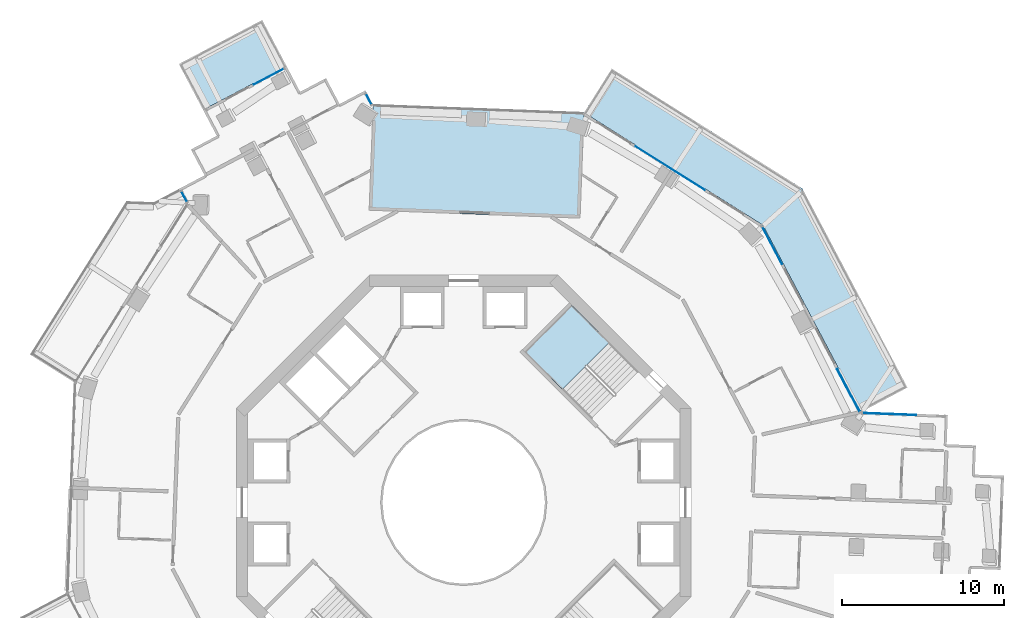
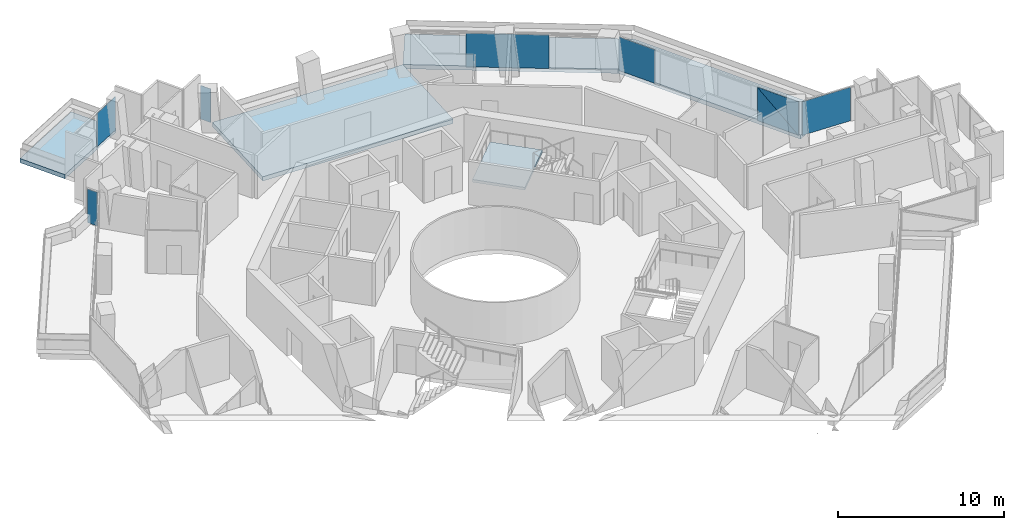
# One storey, part 13 of 23: 8 plates, 4 slabs, 7 elements without a shape of their own.
"""IFC4 building model written with IfcOpenShell, lengths in metres."""

from ifc_helpers import new_model, si_unit, direction, frame, origin, origin_2d, place, context, subcontext, project, spatial, polyline, rectangle, outline, extrude, material, layer, layer_set, type_object, element, aggregate, save


model = new_model("IFC4")

# Units and contexts
model_context = context("Model", 3, precision=1e-05, world=origin(), true_north=direction((0.0, 1.0)))
body_context = subcontext(model_context, "Body", "Model", "MODEL_VIEW")
ifc_project = project(units=[si_unit("LENGTHUNIT", "METRE"), si_unit("AREAUNIT", "SQUARE_METRE"), si_unit("VOLUMEUNIT", "CUBIC_METRE"), si_unit("PLANEANGLEUNIT", "RADIAN"), si_unit("MASSUNIT", "GRAM", prefix="KILO")], contexts=[model_context])

# Site, building, storey
site_placement = place(None, origin())
site = spatial("IfcSite", under=ifc_project, at=site_placement, CompositionType="ELEMENT")
building_placement = place(site_placement, origin())
building = spatial("IfcBuilding", under=site, at=building_placement, Name="Verdalira Terraces Hotel", CompositionType="ELEMENT")
storey_placement = place(building_placement, frame((0.0, 0.0, 147.0)))
storey = spatial("IfcBuildingStorey", under=building, at=storey_placement, Name="L35", CompositionType="ELEMENT", Elevation=147.0)

# Slabs
ifc_material_1 = material(Name="Precast concrete C40/50", Category="concrete")
ifc_layer_1 = layer(ifc_material_1, 0.31005859375)
ifc_layer_set_1 = layer_set([ifc_layer_1], Name="Balcony deck 310")
slab_type_1 = type_object("IfcSlabType", Name="Balcony deck 310", PredefinedType="FLOOR", material=ifc_layer_set_1)
slab_1_placement = place(storey_placement, frame((0.0, 0.0, -0.310059)))
element("IfcSlab", 1, at=slab_1_placement, inside=storey, type_object=slab_type_1, Name="Balcony deck", PredefinedType="FLOOR", context=body_context, shape_type="SweptSolid", body=[
    extrude(outline(polyline([(-17.535645, 26.993408), (-16.04126, 24.163818), (-10.912598, 26.872559), (-12.406982, 29.702148), (-17.535645, 26.993408)])), origin(), (0.0, 0.0, 1.0), 0.310059),
])
slab_2_placement = place(storey_placement, frame((0.0, 0.0, -0.310059)))
element("IfcSlab", 2, at=slab_2_placement, inside=storey, type_object=slab_type_1, Name="Balcony deck", PredefinedType="FLOOR", context=body_context, shape_type="SweptSolid", body=[
    extrude(outline(polyline([(9.113037, 26.705078), (7.409668, 23.996094), (18.415039, 17.076416), (24.486084, 5.581055), (27.315674, 7.075439), (20.844238, 19.329102), (9.113037, 26.705078)])), origin(), (0.0, 0.0, 1.0), 0.310059),
])

# Curtain wall, plates
ifc_material_2 = material(Name="Clear glass", Category="glass")
ifc_layer_2 = layer(ifc_material_2, 0.14990234375)
ifc_layer_set_2 = layer_set([ifc_layer_2], Name="CW1 curtain wall")
curtain_wall_type_1 = type_object("IfcCurtainWallType", Name="CW1 curtain wall", PredefinedType="NOTDEFINED", material=ifc_layer_set_2)
curtain_wall_1_placement = place(storey_placement, origin())
curtain_wall_1 = element("IfcCurtainWall", 3, at=curtain_wall_1_placement, inside=storey, type_object=curtain_wall_type_1, Name="CW1 curtain wall L35 edge 39", PredefinedType="NOTDEFINED")
ifc_material_3 = material(Name="Clear glass", Category="glass")
ifc_layer_3 = layer(ifc_material_3, 0.028076171875)
ifc_layer_set_3 = layer_set([ifc_layer_3], Name="CW1 glass unit 28")
plate_type_1 = type_object("IfcPlateType", Name="CW1 glass unit 28", PredefinedType="CURTAIN_PANEL", material=ifc_layer_set_3)
plate_1_placement = place(storey_placement, frame((23.687012, 6.90332, 1.237549), z_axis=(0.88425516, 0.467004081, 0.0), x_axis=(-0.467004081, 0.88425516, 0.0)))
plate_1 = element("IfcPlate", 4, at=plate_1_placement, type_object=plate_type_1, Name="CW1 glass unit", PredefinedType="CURTAIN_PANEL", context=body_context, shape_type="SweptSolid", body=[
    extrude(outline(polyline([(-1.482422, -1.237549), (1.482422, -1.237549), (1.482422, 1.237549), (-1.482422, -1.237549)])), origin(), (0.0, 0.0, 1.0), 0.028076),
])
plate_2_placement = place(storey_placement, frame((23.661377, 6.889893, 1.237549), z_axis=(0.88425516, 0.467004081, 0.0), x_axis=(-0.467004081, 0.88425516, 0.0)))
plate_2 = element("IfcPlate", 5, at=plate_2_placement, type_object=plate_type_1, Name="CW1 glass unit", PredefinedType="CURTAIN_PANEL", context=body_context, shape_type="SweptSolid", body=[
    extrude(outline(polyline([(-1.482422, -1.237549), (1.482422, 1.237549), (-1.482422, 1.237549), (-1.482422, -1.237549)])), origin(), (0.0, 0.0, 1.0), 0.028076),
])
plate_3_placement = place(storey_placement, frame((18.994385, 15.819092, 0.0), z_axis=(0.0, 0.0, 1.0), x_axis=(-0.467004081, 0.88425516, 0.0)))
plate_3 = element("IfcPlate", 6, at=plate_3_placement, type_object=plate_type_1, Name="CW1 glass unit", PredefinedType="CURTAIN_PANEL", context=body_context, shape_type="SweptSolid", body=[
    extrude(rectangle(XDim=2.564209, YDim=0.028076, at=origin_2d()), origin(), (0.0, 0.0, 1.0), 2.475098),
])
aggregate(curtain_wall_1, [plate_1, plate_2, plate_3])

# Curtain wall, plate
curtain_wall_2_placement = place(storey_placement, origin())
curtain_wall_2 = element("IfcCurtainWall", 7, at=curtain_wall_2_placement, inside=storey, type_object=curtain_wall_type_1, Name="CW1 curtain wall L35 edge 40", PredefinedType="NOTDEFINED")
plate_4_placement = place(storey_placement, frame((12.720947, 20.567871, 0.0), z_axis=(0.0, 0.0, 1.0), x_axis=(-0.846564978, 0.532285392, 0.0)))
plate_4 = element("IfcPlate", 8, at=plate_4_placement, type_object=plate_type_1, Name="CW1 glass unit", PredefinedType="CURTAIN_PANEL", context=body_context, shape_type="SweptSolid", body=[
    extrude(rectangle(XDim=5.021729, YDim=0.028076, at=origin_2d()), origin(), (0.0, 0.0, 1.0), 2.475098),
])
aggregate(curtain_wall_2, [plate_4])

ifc_material_4 = material(Name="Clear glass", Category="glass")
ifc_layer_4 = layer(ifc_material_4, 0.14990234375)
ifc_layer_set_4 = layer_set([ifc_layer_4], Name="CW2 curtain wall")
curtain_wall_type_2 = type_object("IfcCurtainWallType", Name="CW2 curtain wall", PredefinedType="NOTDEFINED", material=ifc_layer_set_4)
curtain_wall_3_placement = place(storey_placement, origin())
curtain_wall_3 = element("IfcCurtainWall", 9, at=curtain_wall_3_placement, inside=storey, type_object=curtain_wall_type_2, Name="CW2 curtain wall L35 edge 0", PredefinedType="NOTDEFINED")
ifc_material_5 = material(Name="Clear glass", Category="glass")
ifc_layer_5 = layer(ifc_material_5, 0.031982421875)
ifc_layer_set_5 = layer_set([ifc_layer_5], Name="CW2 glass unit 32")
plate_type_2 = type_object("IfcPlateType", Name="CW2 glass unit 32", PredefinedType="CURTAIN_PANEL", material=ifc_layer_set_5)
plate_5_placement = place(storey_placement, frame((-5.845947, 24.826904, 0.0), z_axis=(0.0, 0.0, 1.0), x_axis=(-0.467004081, 0.88425516, 0.0)))
plate_5 = element("IfcPlate", 10, at=plate_5_placement, type_object=plate_type_2, Name="CW2 glass unit", PredefinedType="CURTAIN_PANEL", context=body_context, shape_type="SweptSolid", body=[
    extrude(rectangle(XDim=0.709961, YDim=0.031982, at=origin_2d()), origin(), (0.0, 0.0, 1.0), 2.475098),
])
aggregate(curtain_wall_3, [plate_5])

curtain_wall_4_placement = place(storey_placement, origin())
curtain_wall_4 = element("IfcCurtainWall", 11, at=curtain_wall_4_placement, inside=storey, type_object=curtain_wall_type_2, Name="CW2 curtain wall L35 edge 10", PredefinedType="NOTDEFINED")
plate_6_placement = place(storey_placement, frame((-17.208496, 18.825928, 0.0), z_axis=(0.0, 0.0, 1.0), x_axis=(0.467004081, -0.88425516, 0.0)))
plate_6 = element("IfcPlate", 12, at=plate_6_placement, type_object=plate_type_2, Name="CW2 glass unit", PredefinedType="CURTAIN_PANEL", context=body_context, shape_type="SweptSolid", body=[
    extrude(rectangle(XDim=0.709961, YDim=0.031982, at=origin_2d()), origin(), (0.0, 0.0, 1.0), 2.475098),
])
aggregate(curtain_wall_4, [plate_6])

curtain_wall_5_placement = place(storey_placement, origin())
curtain_wall_5 = element("IfcCurtainWall", 13, at=curtain_wall_5_placement, inside=storey, type_object=curtain_wall_type_2, Name="CW2 curtain wall L35 edge 38", PredefinedType="NOTDEFINED")
plate_7_placement = place(storey_placement, frame((26.203857, 5.441162, 0.0), z_axis=(0.0, 0.0, 1.0), x_axis=(-0.999289473, 0.037690183, 0.0)))
plate_7 = element("IfcPlate", 14, at=plate_7_placement, type_object=plate_type_2, Name="CW2 glass unit", PredefinedType="CURTAIN_PANEL", context=body_context, shape_type="SweptSolid", body=[
    extrude(rectangle(XDim=3.303955, YDim=0.031982, at=origin_2d()), origin(), (0.0, 0.0, 1.0), 2.475098),
])
aggregate(curtain_wall_5, [plate_7])

ifc_material_6 = material(Name="Clear glass", Category="glass")
ifc_layer_6 = layer(ifc_material_6, 0.14990234375)
ifc_layer_set_6 = layer_set([ifc_layer_6], Name="CW3 curtain wall")
curtain_wall_type_3 = type_object("IfcCurtainWallType", Name="CW3 curtain wall", PredefinedType="NOTDEFINED", material=ifc_layer_set_6)
curtain_wall_6_placement = place(storey_placement, origin())
curtain_wall_6 = element("IfcCurtainWall", 15, at=curtain_wall_6_placement, inside=storey, type_object=curtain_wall_type_3, Name="CW3 curtain wall L35 edge 5", PredefinedType="NOTDEFINED")
ifc_material_7 = material(Name="Clear glass", Category="glass")
ifc_layer_7 = layer(ifc_material_7, 0.035888671875)
ifc_layer_set_7 = layer_set([ifc_layer_7], Name="CW3 glass unit 36")
plate_type_3 = type_object("IfcPlateType", Name="CW3 glass unit 36", PredefinedType="CURTAIN_PANEL", material=ifc_layer_set_7)
plate_8_placement = place(storey_placement, frame((-12.000488, 26.213135, 0.0), z_axis=(0.0, 0.0, 1.0), x_axis=(-0.88425516, -0.467004081, 0.0)))
plate_8 = element("IfcPlate", 16, at=plate_8_placement, type_object=plate_type_3, Name="CW3 glass unit", PredefinedType="CURTAIN_PANEL", context=body_context, shape_type="SweptSolid", body=[
    extrude(rectangle(XDim=2.080078, YDim=0.035889, at=origin_2d()), origin(), (0.0, 0.0, 1.0), 2.475098),
])
aggregate(curtain_wall_6, [plate_8])

# Stair, slab
ifc_material_8 = material(Name="Concrete C40", Category="concrete")
stair_type = type_object("IfcStairType", Name="Core stair 20 risers 2000 mm wide", PredefinedType="HALF_TURN_STAIR", material=ifc_material_8)
stair_placement = place(storey_placement, origin())
stair = element("IfcStair", 17, at=stair_placement, inside=storey, type_object=stair_type, Name="L35 Exit stair ST1", PredefinedType="HALF_TURN_STAIR")
ifc_material_9 = material(Name="Concrete C40", Category="concrete")
ifc_layer_8 = layer(ifc_material_9, 0.199951171875)
ifc_layer_set_8 = layer_set([ifc_layer_8], Name="Core stair landing 200 mm")
slab_type_2 = type_object("IfcSlabType", Name="Core stair landing 200 mm", PredefinedType="LANDING", material=ifc_layer_set_8)
slab_3_placement = place(storey_placement, frame((0.0, 0.0, 1.550049)))
slab_3 = element("IfcSlab", 18, at=slab_3_placement, type_object=slab_type_2, Name="ST1 landing 1", PredefinedType="LANDING", context=body_context, shape_type="SweptSolid", body=[
    extrude(outline(polyline([(8.966553, 9.842529), (6.646729, 12.162354), (3.747559, 9.263184), (6.067383, 6.943359), (8.966553, 9.842529)])), origin(), (0.0, 0.0, 1.0), 0.199951),
])
aggregate(stair, [slab_3])

# Slab
ifc_material_10 = material(Name="Concrete C40", Category="concrete")
ifc_layer_9 = layer(ifc_material_10, 0.31005859375)
ifc_layer_set_9 = layer_set([ifc_layer_9], Name="Loggia floor deck 310 C40")
slab_type_3 = type_object("IfcSlabType", Name="Loggia floor deck 310 C40", PredefinedType="FLOOR", material=ifc_layer_set_9)
slab_4_placement = place(storey_placement, frame((0.0, 0.0, -0.310059)))
element("IfcSlab", 19, at=slab_4_placement, inside=storey, type_object=slab_type_3, Name="Loggia deck L35", PredefinedType="FLOOR", context=body_context, shape_type="SweptSolid", body=[
    extrude(outline(polyline([(7.164795, 17.500732), (7.409668, 23.996094), (-5.581055, 24.486084), (-5.826172, 17.990723), (7.164795, 17.500732)])), origin(), (0.0, 0.0, 1.0), 0.310059),
])

save(model, "model.ifc")
